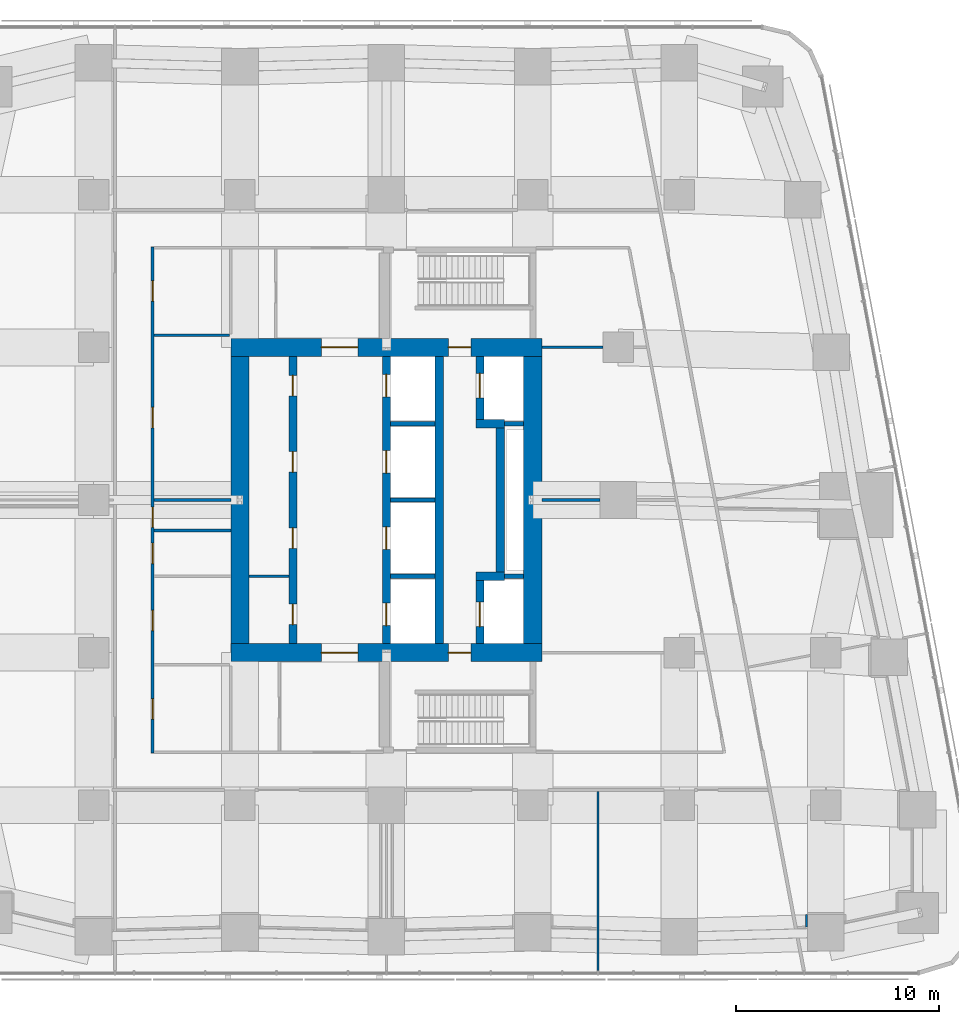
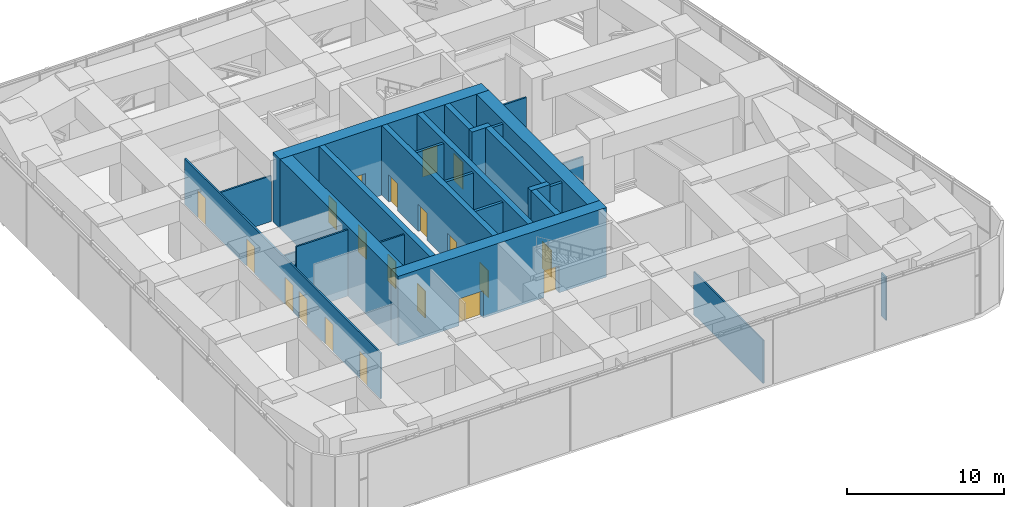
# One storey, part 13 of 17: 26 walls, 20 doors, 20 openings.
"""IFC4 building model written with IfcOpenShell, lengths in metres."""

from ifc_helpers import new_model, si_unit, direction, frame, frame_2d, origin, place, context, subcontext, project, spatial, rectangle, extrude, material, layer, layer_set, type_object, element, fill, save


model = new_model("IFC4")

# Units and contexts
model_context = context("Model", 3, precision=1e-05, world=origin(), true_north=direction((0.0, 1.0)))
body_context = subcontext(model_context, "Body", "Model", "MODEL_VIEW")
ifc_project = project(units=[si_unit("LENGTHUNIT", "METRE"), si_unit("AREAUNIT", "SQUARE_METRE"), si_unit("VOLUMEUNIT", "CUBIC_METRE"), si_unit("PLANEANGLEUNIT", "RADIAN"), si_unit("MASSUNIT", "GRAM", prefix="KILO")], contexts=[model_context])

# Site, building, storey
site_placement = place(None, origin())
site = spatial("IfcSite", under=ifc_project, at=site_placement, CompositionType="ELEMENT")
building_placement = place(site_placement, origin())
building = spatial("IfcBuilding", under=site, at=building_placement, Name="Sheger Commons Tower", CompositionType="ELEMENT")
storey_placement = place(building_placement, frame((0.0, 0.0, 188.300048828125)))
storey = spatial("IfcBuildingStorey", under=building, at=storey_placement, Name="L48", CompositionType="ELEMENT", Elevation=188.300048828125)

# Wall, openings, doors
ifc_material_1 = material(Name="Concrete C50/60", Category="concrete")
ifc_layer_1 = layer(ifc_material_1, 0.39990234375)
ifc_layer_set_1 = layer_set([ifc_layer_1], Name="CORE INNER WALL 400")
wall_type_1 = type_object("IfcWallType", Name="CORE INNER WALL 400", PredefinedType="SHEAR", material=ifc_layer_set_1)
wall_1_placement = place(storey_placement, frame((17.0, 15.449951171875, 0.0), z_axis=(0.0, 0.0, 1.0), x_axis=(0.0, 1.0, 0.0)))
wall_1 = element("IfcWall", 1, at=wall_1_placement, inside=storey, type_object=wall_type_1, Name="Core inner wall A L48", PredefinedType="SHEAR", context=body_context, shape_type="SweptSolid", body=[
    extrude(rectangle(XDim=14.10009765625, YDim=0.39990234375, at=frame_2d((7.050048828125, 0.0))), origin(), (0.0, 0.0, 1.0), 5.39990234375),
])
opening_1_placement = place(wall_1_placement, frame((0.925048828125, 0.0, 0.0)))
opening_1 = element("IfcOpeningElement", 2, at=opening_1_placement, cuts=wall_1, Name="Opening D4", PredefinedType="OPENING", context=body_context, shape_type="SweptSolid", body=[
    extrude(rectangle(XDim=1.0, YDim=2.10009765625, at=frame_2d((0.5, 1.050048828125))), frame((0.0, 0.2099609375, 0.0), z_axis=(0.0, -1.0, 0.0), x_axis=(1.0, 0.0, 0.0)), (0.0, 0.0, 1.0), 0.419921875),
])
opening_2_placement = place(wall_1_placement, frame((4.675048828125, 0.0, 0.0)))
opening_2 = element("IfcOpeningElement", 3, at=opening_2_placement, cuts=wall_1, Name="Opening D4", PredefinedType="OPENING", context=body_context, shape_type="SweptSolid", body=[
    extrude(rectangle(XDim=1.0, YDim=2.10009765625, at=frame_2d((0.5, 1.050048828125))), frame((0.0, 0.2099609375, 0.0), z_axis=(0.0, -1.0, 0.0), x_axis=(1.0, 0.0, 0.0)), (0.0, 0.0, 1.0), 0.419921875),
])
opening_3_placement = place(wall_1_placement, frame((8.425048828125, 0.0, 0.0)))
opening_3 = element("IfcOpeningElement", 4, at=opening_3_placement, cuts=wall_1, Name="Opening D4", PredefinedType="OPENING", context=body_context, shape_type="SweptSolid", body=[
    extrude(rectangle(XDim=1.0, YDim=2.10009765625, at=frame_2d((0.5, 1.050048828125))), frame((0.0, 0.2099609375, 0.0), z_axis=(0.0, -1.0, 0.0), x_axis=(1.0, 0.0, 0.0)), (0.0, 0.0, 1.0), 0.419921875),
])
opening_4_placement = place(wall_1_placement, frame((12.175048828125, 0.0, 0.0)))
opening_4 = element("IfcOpeningElement", 5, at=opening_4_placement, cuts=wall_1, Name="Opening D4", PredefinedType="OPENING", context=body_context, shape_type="SweptSolid", body=[
    extrude(rectangle(XDim=1.0, YDim=2.10009765625, at=frame_2d((0.5, 1.050048828125))), frame((0.0, 0.2099609375, 0.0), z_axis=(0.0, -1.0, 0.0), x_axis=(1.0, 0.0, 0.0)), (0.0, 0.0, 1.0), 0.419921875),
])
ifc_material_2 = material(Name="Steel door set, fire rated", Category="steel")
door_type_1 = type_object("IfcDoorType", Name="SERVICE DOOR 1000x2100", OperationType="NOTDEFINED", PredefinedType="DOOR", material=ifc_material_2)
door_1_placement = place(opening_1_placement, origin())
door_1 = element("IfcDoor", 6, at=door_1_placement, inside=storey, type_object=door_type_1, Name="IT and telecom room door", OperationType="SINGLE_SWING_LEFT", OverallHeight=2.10009765625, OverallWidth=1.0, PredefinedType="DOOR", context=body_context, shape_type="SweptSolid", body=[
    extrude(rectangle(XDim=1.0, YDim=2.10009765625, at=frame_2d((0.5, 1.050048828125))), frame((0.0, 0.02490234375, 0.0), z_axis=(0.0, -1.0, 0.0), x_axis=(1.0, 0.0, 0.0)), (0.0, 0.0, 1.0), 0.050048828125),
])
fill(opening_1, door_1)
door_2_placement = place(opening_2_placement, origin())
door_2 = element("IfcDoor", 7, at=door_2_placement, inside=storey, type_object=door_type_1, Name="Linen and housekeeping store door", OperationType="SINGLE_SWING_LEFT", OverallHeight=2.10009765625, OverallWidth=1.0, PredefinedType="DOOR", context=body_context, shape_type="SweptSolid", body=[
    extrude(rectangle(XDim=1.0, YDim=2.10009765625, at=frame_2d((0.5, 1.050048828125))), frame((0.0, 0.02490234375, 0.0), z_axis=(0.0, -1.0, 0.0), x_axis=(1.0, 0.0, 0.0)), (0.0, 0.0, 1.0), 0.050048828125),
])
fill(opening_2, door_2)
door_3_placement = place(opening_3_placement, origin())
door_3 = element("IfcDoor", 8, at=door_3_placement, inside=storey, type_object=door_type_1, Name="Linen and housekeeping store door", OperationType="SINGLE_SWING_RIGHT", OverallHeight=2.10009765625, OverallWidth=1.0, PredefinedType="DOOR", context=body_context, shape_type="SweptSolid", body=[
    extrude(rectangle(XDim=1.0, YDim=2.10009765625, at=frame_2d((0.5, 1.050048828125))), frame((0.0, 0.02490234375, 0.0), z_axis=(0.0, -1.0, 0.0), x_axis=(1.0, 0.0, 0.0)), (0.0, 0.0, 1.0), 0.050048828125),
])
fill(opening_3, door_3)
door_4_placement = place(opening_4_placement, origin())
door_4 = element("IfcDoor", 9, at=door_4_placement, inside=storey, type_object=door_type_1, Name="Linen and housekeeping store door", OperationType="SINGLE_SWING_RIGHT", OverallHeight=2.10009765625, OverallWidth=1.0, PredefinedType="DOOR", context=body_context, shape_type="SweptSolid", body=[
    extrude(rectangle(XDim=1.0, YDim=2.10009765625, at=frame_2d((0.5, 1.050048828125))), frame((0.0, 0.02490234375, 0.0), z_axis=(0.0, -1.0, 0.0), x_axis=(1.0, 0.0, 0.0)), (0.0, 0.0, 1.0), 0.050048828125),
])
fill(opening_4, door_4)

wall_2_placement = place(storey_placement, frame((21.60009765625, 15.449951171875, 0.0), z_axis=(0.0, 0.0, 1.0), x_axis=(0.0, 1.0, 0.0)))
wall_2 = element("IfcWall", 10, at=wall_2_placement, inside=storey, type_object=wall_type_1, Name="Core inner wall L L48", PredefinedType="SHEAR", context=body_context, shape_type="SweptSolid", body=[
    extrude(rectangle(XDim=14.10009765625, YDim=0.39990234375, at=frame_2d((7.050048828125, 0.0))), origin(), (0.0, 0.0, 1.0), 5.39990234375),
])
opening_5_placement = place(wall_2_placement, frame((0.875, 0.0, 0.0)))
opening_5 = element("IfcOpeningElement", 11, at=opening_5_placement, cuts=wall_2, Name="Opening LD", PredefinedType="OPENING", context=body_context, shape_type="SweptSolid", body=[
    extrude(rectangle(XDim=1.10009765625, YDim=2.10009765625, at=frame_2d((0.550048828125, 1.050048828125))), frame((0.0, 0.2099609375, 0.0), z_axis=(0.0, -1.0, 0.0), x_axis=(1.0, 0.0, 0.0)), (0.0, 0.0, 1.0), 0.419921875),
])
opening_6_placement = place(wall_2_placement, frame((4.625, 0.0, 0.0)))
opening_6 = element("IfcOpeningElement", 12, at=opening_6_placement, cuts=wall_2, Name="Opening LD", PredefinedType="OPENING", context=body_context, shape_type="SweptSolid", body=[
    extrude(rectangle(XDim=1.10009765625, YDim=2.10009765625, at=frame_2d((0.550048828125, 1.050048828125))), frame((0.0, 0.2099609375, 0.0), z_axis=(0.0, -1.0, 0.0), x_axis=(1.0, 0.0, 0.0)), (0.0, 0.0, 1.0), 0.419921875),
])
opening_7_placement = place(wall_2_placement, frame((8.375, 0.0, 0.0)))
opening_7 = element("IfcOpeningElement", 13, at=opening_7_placement, cuts=wall_2, Name="Opening LD", PredefinedType="OPENING", context=body_context, shape_type="SweptSolid", body=[
    extrude(rectangle(XDim=1.10009765625, YDim=2.10009765625, at=frame_2d((0.550048828125, 1.050048828125))), frame((0.0, 0.2099609375, 0.0), z_axis=(0.0, -1.0, 0.0), x_axis=(1.0, 0.0, 0.0)), (0.0, 0.0, 1.0), 0.419921875),
])
opening_8_placement = place(wall_2_placement, frame((12.125, 0.0, 0.0)))
opening_8 = element("IfcOpeningElement", 14, at=opening_8_placement, cuts=wall_2, Name="Opening LD", PredefinedType="OPENING", context=body_context, shape_type="SweptSolid", body=[
    extrude(rectangle(XDim=1.10009765625, YDim=2.10009765625, at=frame_2d((0.550048828125, 1.050048828125))), frame((0.0, 0.2099609375, 0.0), z_axis=(0.0, -1.0, 0.0), x_axis=(1.0, 0.0, 0.0)), (0.0, 0.0, 1.0), 0.419921875),
])
ifc_material_3 = material(Name="Steel door set, fire rated", Category="steel")
door_type_2 = type_object("IfcDoorType", Name="LIFT LANDING DOOR 1100x2100", OperationType="DOUBLE_DOOR_SLIDING", PredefinedType="DOOR", material=ifc_material_3)
door_5_placement = place(opening_5_placement, origin())
door_5 = element("IfcDoor", 15, at=door_5_placement, inside=storey, type_object=door_type_2, Name="Lift LB1 landing door", OperationType="DOUBLE_DOOR_SLIDING", OverallHeight=2.10009765625, OverallWidth=1.10009765625, PredefinedType="DOOR", context=body_context, shape_type="SweptSolid", body=[
    extrude(rectangle(XDim=1.10009765625, YDim=2.10009765625, at=frame_2d((0.550048828125, 1.050048828125))), frame((0.0, 0.02490234375, 0.0), z_axis=(0.0, -1.0, 0.0), x_axis=(1.0, 0.0, 0.0)), (0.0, 0.0, 1.0), 0.050048828125),
])
fill(opening_5, door_5)
door_6_placement = place(opening_6_placement, origin())
door_6 = element("IfcDoor", 16, at=door_6_placement, inside=storey, type_object=door_type_2, Name="Lift LB2 landing door", OperationType="DOUBLE_DOOR_SLIDING", OverallHeight=2.10009765625, OverallWidth=1.10009765625, PredefinedType="DOOR", context=body_context, shape_type="SweptSolid", body=[
    extrude(rectangle(XDim=1.10009765625, YDim=2.10009765625, at=frame_2d((0.550048828125, 1.050048828125))), frame((0.0, 0.02490234375, 0.0), z_axis=(0.0, -1.0, 0.0), x_axis=(1.0, 0.0, 0.0)), (0.0, 0.0, 1.0), 0.050048828125),
])
fill(opening_6, door_6)
door_7_placement = place(opening_7_placement, origin())
door_7 = element("IfcDoor", 17, at=door_7_placement, inside=storey, type_object=door_type_2, Name="Lift LB3 landing door", OperationType="DOUBLE_DOOR_SLIDING", OverallHeight=2.10009765625, OverallWidth=1.10009765625, PredefinedType="DOOR", context=body_context, shape_type="SweptSolid", body=[
    extrude(rectangle(XDim=1.10009765625, YDim=2.10009765625, at=frame_2d((0.550048828125, 1.050048828125))), frame((0.0, 0.02490234375, 0.0), z_axis=(0.0, -1.0, 0.0), x_axis=(1.0, 0.0, 0.0)), (0.0, 0.0, 1.0), 0.050048828125),
])
fill(opening_7, door_7)
door_8_placement = place(opening_8_placement, origin())
door_8 = element("IfcDoor", 18, at=door_8_placement, inside=storey, type_object=door_type_2, Name="Lift LB4 landing door", OperationType="DOUBLE_DOOR_SLIDING", OverallHeight=2.10009765625, OverallWidth=1.10009765625, PredefinedType="DOOR", context=body_context, shape_type="SweptSolid", body=[
    extrude(rectangle(XDim=1.10009765625, YDim=2.10009765625, at=frame_2d((0.550048828125, 1.050048828125))), frame((0.0, 0.02490234375, 0.0), z_axis=(0.0, -1.0, 0.0), x_axis=(1.0, 0.0, 0.0)), (0.0, 0.0, 1.0), 0.050048828125),
])
fill(opening_8, door_8)

# Wall
wall_3_placement = place(storey_placement, frame((24.199951171875, 15.449951171875, 0.0), z_axis=(0.0, 0.0, 1.0), x_axis=(0.0, 1.0, 0.0)))
element("IfcWall", 19, at=wall_3_placement, inside=storey, type_object=wall_type_1, Name="Core inner wall B L48", PredefinedType="SHEAR", context=body_context, shape_type="SweptSolid", body=[
    extrude(rectangle(XDim=14.10009765625, YDim=0.39990234375, at=frame_2d((7.050048828125, 0.0))), origin(), (0.0, 0.0, 1.0), 5.39990234375),
])

# Wall, opening, door
wall_4_placement = place(storey_placement, frame((26.199951171875, 15.449951171875, 0.0), z_axis=(0.0, 0.0, 1.0), x_axis=(0.0, 1.0, 0.0)))
wall_4 = element("IfcWall", 20, at=wall_4_placement, inside=storey, type_object=wall_type_1, Name="Core inner wall F L48", PredefinedType="SHEAR", context=body_context, shape_type="SweptSolid", body=[
    extrude(rectangle(XDim=3.10009765625, YDim=0.39990234375, at=frame_2d((1.550048828125, 0.0))), origin(), (0.0, 0.0, 1.0), 5.39990234375),
])
opening_9_placement = place(wall_4_placement, frame((0.824951171875, 0.0, 0.0)))
opening_9 = element("IfcOpeningElement", 21, at=opening_9_placement, cuts=wall_4, Name="Opening LD2", PredefinedType="OPENING", context=body_context, shape_type="SweptSolid", body=[
    extrude(rectangle(XDim=1.199951171875, YDim=2.10009765625, at=frame_2d((0.60009765625, 1.050048828125))), frame((0.0, 0.2099609375, 0.0), z_axis=(0.0, -1.0, 0.0), x_axis=(1.0, 0.0, 0.0)), (0.0, 0.0, 1.0), 0.419921875),
])
ifc_material_4 = material(Name="Steel door set, fire rated", Category="steel")
door_type_3 = type_object("IfcDoorType", Name="FIREFIGHTING LIFT LANDING DOOR 1200x2100", OperationType="DOUBLE_DOOR_SLIDING", PredefinedType="DOOR", material=ifc_material_4)
door_9_placement = place(opening_9_placement, origin())
door_9 = element("IfcDoor", 22, at=door_9_placement, inside=storey, type_object=door_type_3, Name="Lift FL1 landing door", OperationType="DOUBLE_DOOR_SLIDING", OverallHeight=2.10009765625, OverallWidth=1.199951171875, PredefinedType="DOOR", context=body_context, shape_type="SweptSolid", body=[
    extrude(rectangle(XDim=1.199951171875, YDim=2.10009765625, at=frame_2d((0.60009765625, 1.050048828125))), frame((0.0, 0.02490234375, 0.0), z_axis=(0.0, -1.0, 0.0), x_axis=(1.0, 0.0, 0.0)), (0.0, 0.0, 1.0), 0.050048828125),
])
fill(opening_9, door_9)

# Walls
wall_5_placement = place(storey_placement, frame((26.0, 18.75, 0.0), z_axis=(0.0, 0.0, 1.0), x_axis=(1.0, 0.0, 0.0)))
element("IfcWall", 23, at=wall_5_placement, inside=storey, type_object=wall_type_1, Name="Core inner wall F south return L48", PredefinedType="SHEAR", context=body_context, shape_type="SweptSolid", body=[
    extrude(rectangle(XDim=1.39990234375, YDim=0.39990234375, at=frame_2d((0.699951171875, 0.0))), origin(), (0.0, 0.0, 1.0), 5.39990234375),
])
wall_6_placement = place(storey_placement, frame((27.199951171875, 18.949951171875, 0.0), z_axis=(0.0, 0.0, 1.0), x_axis=(0.0, 1.0, 0.0)))
element("IfcWall", 24, at=wall_6_placement, inside=storey, type_object=wall_type_1, Name="Core inner wall F middle L48", PredefinedType="SHEAR", context=body_context, shape_type="SweptSolid", body=[
    extrude(rectangle(XDim=7.10009765625, YDim=0.39990234375, at=frame_2d((3.550048828125, 0.0))), origin(), (0.0, 0.0, 1.0), 5.39990234375),
])
wall_7_placement = place(storey_placement, frame((26.0, 26.25, 0.0), z_axis=(0.0, 0.0, 1.0), x_axis=(1.0, 0.0, 0.0)))
element("IfcWall", 25, at=wall_7_placement, inside=storey, type_object=wall_type_1, Name="Core inner wall F north return L48", PredefinedType="SHEAR", context=body_context, shape_type="SweptSolid", body=[
    extrude(rectangle(XDim=1.39990234375, YDim=0.39990234375, at=frame_2d((0.699951171875, 0.0))), origin(), (0.0, 0.0, 1.0), 5.39990234375),
])

# Wall, opening, door
wall_8_placement = place(storey_placement, frame((26.199951171875, 26.449951171875, 0.0), z_axis=(0.0, 0.0, 1.0), x_axis=(0.0, 1.0, 0.0)))
wall_8 = element("IfcWall", 26, at=wall_8_placement, inside=storey, type_object=wall_type_1, Name="Core inner wall F north L48", PredefinedType="SHEAR", context=body_context, shape_type="SweptSolid", body=[
    extrude(rectangle(XDim=3.10009765625, YDim=0.39990234375, at=frame_2d((1.550048828125, 0.0))), origin(), (0.0, 0.0, 1.0), 5.39990234375),
])
opening_10_placement = place(wall_8_placement, frame((1.074951171875, 0.0, 0.0)))
opening_10 = element("IfcOpeningElement", 27, at=opening_10_placement, cuts=wall_8, Name="Opening LD2", PredefinedType="OPENING", context=body_context, shape_type="SweptSolid", body=[
    extrude(rectangle(XDim=1.199951171875, YDim=2.10009765625, at=frame_2d((0.60009765625, 1.050048828125))), frame((0.0, 0.2099609375, 0.0), z_axis=(0.0, -1.0, 0.0), x_axis=(1.0, 0.0, 0.0)), (0.0, 0.0, 1.0), 0.419921875),
])
door_10_placement = place(opening_10_placement, origin())
door_10 = element("IfcDoor", 28, at=door_10_placement, inside=storey, type_object=door_type_3, Name="Lift FL2 landing door", OperationType="DOUBLE_DOOR_SLIDING", OverallHeight=2.10009765625, OverallWidth=1.199951171875, PredefinedType="DOOR", context=body_context, shape_type="SweptSolid", body=[
    extrude(rectangle(XDim=1.199951171875, YDim=2.10009765625, at=frame_2d((0.60009765625, 1.050048828125))), frame((0.0, 0.02490234375, 0.0), z_axis=(0.0, -1.0, 0.0), x_axis=(1.0, 0.0, 0.0)), (0.0, 0.0, 1.0), 0.050048828125),
])
fill(opening_10, door_10)

# Wall, openings, doors
ifc_material_5 = material(Name="Concrete C50/60", Category="concrete")
ifc_layer_2 = layer(ifc_material_5, 0.89990234375)
ifc_layer_set_2 = layer_set([ifc_layer_2], Name="CORE WALL 900")
wall_type_2 = type_object("IfcWallType", Name="CORE WALL 900", PredefinedType="SHEAR", material=ifc_layer_set_2)
wall_9_placement = place(storey_placement, frame((13.949951171875, 15.0, 0.0), z_axis=(0.0, 0.0, 1.0), x_axis=(1.0, 0.0, 0.0)))
wall_9 = element("IfcWall", 29, at=wall_9_placement, inside=storey, type_object=wall_type_2, Name="Core wall south L48", PredefinedType="SHEAR", context=body_context, shape_type="SweptSolid", body=[
    extrude(rectangle(XDim=15.300048828125, YDim=0.89990234375, at=frame_2d((7.64990234375, 0.0))), origin(), (0.0, 0.0, 1.0), 5.39990234375),
])
opening_11_placement = place(wall_9_placement, frame((4.449951171875, 0.0, 0.0)))
opening_11 = element("IfcOpeningElement", 30, at=opening_11_placement, cuts=wall_9, Name="Opening D6", PredefinedType="OPENING", context=body_context, shape_type="SweptSolid", body=[
    extrude(rectangle(XDim=1.800048828125, YDim=2.10009765625, at=frame_2d((0.89990234375, 1.050048828125))), frame((0.0, 0.4599609375, 0.0), z_axis=(0.0, -1.0, 0.0), x_axis=(1.0, 0.0, 0.0)), (0.0, 0.0, 1.0), 0.919921875),
])
opening_12_placement = place(wall_9_placement, frame((10.699951171875, 0.0, 0.0)))
opening_12 = element("IfcOpeningElement", 31, at=opening_12_placement, cuts=wall_9, Name="Opening D5", PredefinedType="OPENING", context=body_context, shape_type="SweptSolid", body=[
    extrude(rectangle(XDim=1.10009765625, YDim=2.10009765625, at=frame_2d((0.550048828125, 1.050048828125))), frame((0.0, 0.4599609375, 0.0), z_axis=(0.0, -1.0, 0.0), x_axis=(1.0, 0.0, 0.0)), (0.0, 0.0, 1.0), 0.919921875),
])
ifc_material_6 = material(Name="Steel door set, fire rated", Category="steel")
door_type_4 = type_object("IfcDoorType", Name="LOBBY DOUBLE DOOR 1800x2100", OperationType="DOUBLE_DOOR_SINGLE_SWING", PredefinedType="DOOR", material=ifc_material_6)
door_11_placement = place(opening_11_placement, origin())
door_11 = element("IfcDoor", 32, at=door_11_placement, inside=storey, type_object=door_type_4, Name="Lift lobby door", OperationType="DOUBLE_DOOR_SINGLE_SWING", OverallHeight=2.10009765625, OverallWidth=1.800048828125, PredefinedType="DOOR", context=body_context, shape_type="SweptSolid", body=[
    extrude(rectangle(XDim=1.800048828125, YDim=2.10009765625, at=frame_2d((0.89990234375, 1.050048828125))), frame((0.0, 0.02490234375, 0.0), z_axis=(0.0, -1.0, 0.0), x_axis=(1.0, 0.0, 0.0)), (0.0, 0.0, 1.0), 0.050048828125),
])
fill(opening_11, door_11)
ifc_material_7 = material(Name="Steel door set, fire rated", Category="steel")
door_type_5 = type_object("IfcDoorType", Name="STAIR DOOR 1100x2100", OperationType="NOTDEFINED", PredefinedType="DOOR", material=ifc_material_7)
door_12_placement = place(opening_12_placement, origin())
door_12 = element("IfcDoor", 33, at=door_12_placement, inside=storey, type_object=door_type_5, Name="Fire-fighting lobby door", OperationType="SINGLE_SWING_LEFT", OverallHeight=2.10009765625, OverallWidth=1.10009765625, PredefinedType="DOOR", context=body_context, shape_type="SweptSolid", body=[
    extrude(rectangle(XDim=1.10009765625, YDim=2.10009765625, at=frame_2d((0.550048828125, 1.050048828125))), frame((0.0, 0.02490234375, 0.0), z_axis=(0.0, -1.0, 0.0), x_axis=(1.0, 0.0, 0.0)), (0.0, 0.0, 1.0), 0.050048828125),
])
fill(opening_12, door_12)

wall_10_placement = place(storey_placement, frame((13.949951171875, 30.0, 0.0), z_axis=(0.0, 0.0, 1.0), x_axis=(1.0, 0.0, 0.0)))
wall_10 = element("IfcWall", 34, at=wall_10_placement, inside=storey, type_object=wall_type_2, Name="Core wall north L48", PredefinedType="SHEAR", context=body_context, shape_type="SweptSolid", body=[
    extrude(rectangle(XDim=15.300048828125, YDim=0.89990234375, at=frame_2d((7.64990234375, 0.0))), origin(), (0.0, 0.0, 1.0), 5.39990234375),
])
opening_13_placement = place(wall_10_placement, frame((4.449951171875, 0.0, 0.0)))
opening_13 = element("IfcOpeningElement", 35, at=opening_13_placement, cuts=wall_10, Name="Opening D6", PredefinedType="OPENING", context=body_context, shape_type="SweptSolid", body=[
    extrude(rectangle(XDim=1.800048828125, YDim=2.10009765625, at=frame_2d((0.89990234375, 1.050048828125))), frame((0.0, 0.4599609375, 0.0), z_axis=(0.0, -1.0, 0.0), x_axis=(1.0, 0.0, 0.0)), (0.0, 0.0, 1.0), 0.919921875),
])
opening_14_placement = place(wall_10_placement, frame((10.699951171875, 0.0, 0.0)))
opening_14 = element("IfcOpeningElement", 36, at=opening_14_placement, cuts=wall_10, Name="Opening D5", PredefinedType="OPENING", context=body_context, shape_type="SweptSolid", body=[
    extrude(rectangle(XDim=1.10009765625, YDim=2.10009765625, at=frame_2d((0.550048828125, 1.050048828125))), frame((0.0, 0.4599609375, 0.0), z_axis=(0.0, -1.0, 0.0), x_axis=(1.0, 0.0, 0.0)), (0.0, 0.0, 1.0), 0.919921875),
])
door_13_placement = place(opening_13_placement, origin())
door_13 = element("IfcDoor", 37, at=door_13_placement, inside=storey, type_object=door_type_4, Name="Lift lobby door", OperationType="DOUBLE_DOOR_SINGLE_SWING", OverallHeight=2.10009765625, OverallWidth=1.800048828125, PredefinedType="DOOR", context=body_context, shape_type="SweptSolid", body=[
    extrude(rectangle(XDim=1.800048828125, YDim=2.10009765625, at=frame_2d((0.89990234375, 1.050048828125))), frame((0.0, 0.02490234375, 0.0), z_axis=(0.0, -1.0, 0.0), x_axis=(1.0, 0.0, 0.0)), (0.0, 0.0, 1.0), 0.050048828125),
])
fill(opening_13, door_13)
door_14_placement = place(opening_14_placement, origin())
door_14 = element("IfcDoor", 38, at=door_14_placement, inside=storey, type_object=door_type_5, Name="Fire-fighting lobby door", OperationType="SINGLE_SWING_LEFT", OverallHeight=2.10009765625, OverallWidth=1.10009765625, PredefinedType="DOOR", context=body_context, shape_type="SweptSolid", body=[
    extrude(rectangle(XDim=1.10009765625, YDim=2.10009765625, at=frame_2d((0.550048828125, 1.050048828125))), frame((0.0, 0.02490234375, 0.0), z_axis=(0.0, -1.0, 0.0), x_axis=(1.0, 0.0, 0.0)), (0.0, 0.0, 1.0), 0.050048828125),
])
fill(opening_14, door_14)

# Walls
for number, where, z_axis, x_axis, name in (
    (39, (14.39990234375, 15.449951171875, 0.0), (0.0, 0.0, 1.0), (0.0, 1.0, 0.0), "Core wall west L48"),
    (40, (28.800048828125, 15.449951171875, 0.0), (0.0, 0.0, 1.0), (0.0, 1.0, 0.0), "Core wall east L48"),
):
    element("IfcWall", number, at=place(storey_placement, frame(where, z_axis=z_axis, x_axis=x_axis)), inside=storey, type_object=wall_type_2, Name=name, PredefinedType="SHEAR", context=body_context, shape_type="SweptSolid", body=[
        extrude(rectangle(XDim=14.10009765625, YDim=0.89990234375, at=frame_2d((7.050048828125, 0.0))), origin(), (0.0, 0.0, 1.0), 5.39990234375),
    ])
ifc_material_8 = material(Name="Gypsum board on steel studs", Category="steel")
ifc_layer_3 = layer(ifc_material_8, 0.10009765625)
ifc_layer_set_3 = layer_set([ifc_layer_3], Name="PARTITION 100")
wall_type_3 = type_object("IfcWallType", Name="PARTITION 100", PredefinedType="PARTITIONING", material=ifc_layer_set_3)
wall_11_placement = place(storey_placement, frame((32.0, -0.636962890625, 0.0), z_axis=(0.0, 0.0, 1.0), x_axis=(0.0, 1.0, 0.0)))
element("IfcWall", 41, at=wall_11_placement, inside=storey, type_object=wall_type_3, Name="Partition L48", PredefinedType="PARTITIONING", context=body_context, shape_type="SweptSolid", body=[
    extrude(rectangle(XDim=8.81201171875, YDim=0.10009765625, at=frame_2d((4.406005859375, 0.0))), origin(), (0.0, 0.0, 1.0), 3.349853515625),
])
wall_12_placement = place(storey_placement, frame((42.25, 2.125, 0.0), z_axis=(0.0, 0.0, 1.0), x_axis=(0.0, -1.0, 0.0)))
element("IfcWall", 42, at=wall_12_placement, inside=storey, type_object=wall_type_3, Name="Partition L48", PredefinedType="PARTITIONING", context=body_context, shape_type="SweptSolid", body=[
    extrude(rectangle(XDim=0.6259765625, YDim=0.10009765625, at=frame_2d((0.31298828125, 0.0))), origin(), (0.0, 0.0, 1.0), 3.349853515625),
])

# Wall, openings, doors
ifc_material_9 = material(Name="Gypsum board on steel studs, two layers each side, fire rated", Category="steel")
ifc_layer_4 = layer(ifc_material_9, 0.125)
ifc_layer_set_4 = layer_set([ifc_layer_4], Name="SERVICE WALL 125")
wall_type_4 = type_object("IfcWallType", Name="SERVICE WALL 125", PredefinedType="PARTITIONING", material=ifc_layer_set_4)
wall_13_placement = place(storey_placement, frame((10.10009765625, 10.050048828125, 0.0), z_axis=(0.0, 0.0, 1.0), x_axis=(0.0, 1.0, 0.0)))
wall_13 = element("IfcWall", 43, at=wall_13_placement, inside=storey, type_object=wall_type_4, Name="Service room wall L48", PredefinedType="PARTITIONING", context=body_context, shape_type="SweptSolid", body=[
    extrude(rectangle(XDim=24.89990234375, YDim=0.125, at=frame_2d((12.449951171875, 0.0))), origin(), (0.0, 0.0, 1.0), 3.550048828125),
])
opening_15_placement = place(wall_13_placement, frame((1.675048828125, 0.0, 0.0)))
opening_15 = element("IfcOpeningElement", 44, at=opening_15_placement, cuts=wall_13, Name="Opening D4", PredefinedType="OPENING", context=body_context, shape_type="SweptSolid", body=[
    extrude(rectangle(XDim=1.0, YDim=2.10009765625, at=frame_2d((0.5, 1.050048828125))), frame((0.0, 0.072509765625, 0.0), z_axis=(0.0, -1.0, 0.0), x_axis=(1.0, 0.0, 0.0)), (0.0, 0.0, 1.0), 0.14501953125),
])
opening_16_placement = place(wall_13_placement, frame((16.0, 0.0, 0.0)))
opening_16 = element("IfcOpeningElement", 45, at=opening_16_placement, cuts=wall_13, Name="Opening D4", PredefinedType="OPENING", context=body_context, shape_type="SweptSolid", body=[
    extrude(rectangle(XDim=1.0, YDim=2.10009765625, at=frame_2d((0.5, 1.050048828125))), frame((0.0, 0.072509765625, 0.0), z_axis=(0.0, -1.0, 0.0), x_axis=(1.0, 0.0, 0.0)), (0.0, 0.0, 1.0), 0.14501953125),
])
opening_17_placement = place(wall_13_placement, frame((22.22509765625, 0.0, 0.0)))
opening_17 = element("IfcOpeningElement", 46, at=opening_17_placement, cuts=wall_13, Name="Opening D4", PredefinedType="OPENING", context=body_context, shape_type="SweptSolid", body=[
    extrude(rectangle(XDim=1.0, YDim=2.10009765625, at=frame_2d((0.5, 1.050048828125))), frame((0.0, 0.072509765625, 0.0), z_axis=(0.0, -1.0, 0.0), x_axis=(1.0, 0.0, 0.0)), (0.0, 0.0, 1.0), 0.14501953125),
])
opening_18_placement = place(wall_13_placement, frame((6.02490234375, 0.0, 0.0)))
opening_18 = element("IfcOpeningElement", 47, at=opening_18_placement, cuts=wall_13, Name="Opening D4", PredefinedType="OPENING", context=body_context, shape_type="SweptSolid", body=[
    extrude(rectangle(XDim=1.0, YDim=2.10009765625, at=frame_2d((0.5, 1.050048828125))), frame((0.0, 0.072509765625, 0.0), z_axis=(0.0, -1.0, 0.0), x_axis=(1.0, 0.0, 0.0)), (0.0, 0.0, 1.0), 0.14501953125),
])
opening_19_placement = place(wall_13_placement, frame((9.324951171875, 0.0, 0.0)))
opening_19 = element("IfcOpeningElement", 48, at=opening_19_placement, cuts=wall_13, Name="Opening D4", PredefinedType="OPENING", context=body_context, shape_type="SweptSolid", body=[
    extrude(rectangle(XDim=1.0, YDim=2.10009765625, at=frame_2d((0.5, 1.050048828125))), frame((0.0, 0.072509765625, 0.0), z_axis=(0.0, -1.0, 0.0), x_axis=(1.0, 0.0, 0.0)), (0.0, 0.0, 1.0), 0.14501953125),
])
opening_20_placement = place(wall_13_placement, frame((11.10009765625, 0.0, 0.0)))
opening_20 = element("IfcOpeningElement", 49, at=opening_20_placement, cuts=wall_13, Name="Opening D4", PredefinedType="OPENING", context=body_context, shape_type="SweptSolid", body=[
    extrude(rectangle(XDim=1.0, YDim=2.10009765625, at=frame_2d((0.5, 1.050048828125))), frame((0.0, 0.072509765625, 0.0), z_axis=(0.0, -1.0, 0.0), x_axis=(1.0, 0.0, 0.0)), (0.0, 0.0, 1.0), 0.14501953125),
])
door_15_placement = place(opening_15_placement, origin())
door_15 = element("IfcDoor", 50, at=door_15_placement, inside=storey, type_object=door_type_1, Name="Male WC door", OperationType="SINGLE_SWING_RIGHT", OverallHeight=2.10009765625, OverallWidth=1.0, PredefinedType="DOOR", context=body_context, shape_type="SweptSolid", body=[
    extrude(rectangle(XDim=1.0, YDim=2.10009765625, at=frame_2d((0.5, 1.050048828125))), frame((0.0, 0.02490234375, 0.0), z_axis=(0.0, -1.0, 0.0), x_axis=(1.0, 0.0, 0.0)), (0.0, 0.0, 1.0), 0.050048828125),
])
fill(opening_15, door_15)
door_16_placement = place(opening_16_placement, origin())
door_16 = element("IfcDoor", 51, at=door_16_placement, inside=storey, type_object=door_type_1, Name="Community furniture store door", OperationType="SINGLE_SWING_LEFT", OverallHeight=2.10009765625, OverallWidth=1.0, PredefinedType="DOOR", context=body_context, shape_type="SweptSolid", body=[
    extrude(rectangle(XDim=1.0, YDim=2.10009765625, at=frame_2d((0.5, 1.050048828125))), frame((0.0, 0.02490234375, 0.0), z_axis=(0.0, -1.0, 0.0), x_axis=(1.0, 0.0, 0.0)), (0.0, 0.0, 1.0), 0.050048828125),
])
fill(opening_16, door_16)
door_17_placement = place(opening_17_placement, origin())
door_17 = element("IfcDoor", 52, at=door_17_placement, inside=storey, type_object=door_type_1, Name="Cleaner's store door", OperationType="SINGLE_SWING_LEFT", OverallHeight=2.10009765625, OverallWidth=1.0, PredefinedType="DOOR", context=body_context, shape_type="SweptSolid", body=[
    extrude(rectangle(XDim=1.0, YDim=2.10009765625, at=frame_2d((0.5, 1.050048828125))), frame((0.0, 0.02490234375, 0.0), z_axis=(0.0, -1.0, 0.0), x_axis=(1.0, 0.0, 0.0)), (0.0, 0.0, 1.0), 0.050048828125),
])
fill(opening_17, door_17)
door_18_placement = place(opening_18_placement, origin())
door_18 = element("IfcDoor", 53, at=door_18_placement, inside=storey, type_object=door_type_1, Name="Female WC door", OperationType="SINGLE_SWING_LEFT", OverallHeight=2.10009765625, OverallWidth=1.0, PredefinedType="DOOR", context=body_context, shape_type="SweptSolid", body=[
    extrude(rectangle(XDim=1.0, YDim=2.10009765625, at=frame_2d((0.5, 1.050048828125))), frame((0.0, 0.02490234375, 0.0), z_axis=(0.0, -1.0, 0.0), x_axis=(1.0, 0.0, 0.0)), (0.0, 0.0, 1.0), 0.050048828125),
])
fill(opening_18, door_18)
door_19_placement = place(opening_19_placement, origin())
door_19 = element("IfcDoor", 54, at=door_19_placement, inside=storey, type_object=door_type_1, Name="Accessible WC door", OperationType="SINGLE_SWING_RIGHT", OverallHeight=2.10009765625, OverallWidth=1.0, PredefinedType="DOOR", context=body_context, shape_type="SweptSolid", body=[
    extrude(rectangle(XDim=1.0, YDim=2.10009765625, at=frame_2d((0.5, 1.050048828125))), frame((0.0, 0.02490234375, 0.0), z_axis=(0.0, -1.0, 0.0), x_axis=(1.0, 0.0, 0.0)), (0.0, 0.0, 1.0), 0.050048828125),
])
fill(opening_19, door_19)
door_20_placement = place(opening_20_placement, origin())
door_20 = element("IfcDoor", 55, at=door_20_placement, inside=storey, type_object=door_type_1, Name="Baby change room door", OperationType="SINGLE_SWING_RIGHT", OverallHeight=2.10009765625, OverallWidth=1.0, PredefinedType="DOOR", context=body_context, shape_type="SweptSolid", body=[
    extrude(rectangle(XDim=1.0, YDim=2.10009765625, at=frame_2d((0.5, 1.050048828125))), frame((0.0, 0.02490234375, 0.0), z_axis=(0.0, -1.0, 0.0), x_axis=(1.0, 0.0, 0.0)), (0.0, 0.0, 1.0), 0.050048828125),
])
fill(opening_20, door_20)

# Walls
wall_14_placement = place(storey_placement, frame((10.1630859375, 22.5, 0.0), z_axis=(0.0, 0.0, 1.0), x_axis=(1.0, 0.0, 0.0)))
element("IfcWall", 56, at=wall_14_placement, inside=storey, type_object=wall_type_4, Name="Service room wall L48", PredefinedType="PARTITIONING", context=body_context, shape_type="SweptSolid", body=[
    extrude(rectangle(XDim=3.786865234375, YDim=0.125, at=frame_2d((1.8935546875, 0.0))), origin(), (0.0, 0.0, 1.0), 3.550048828125),
])
wall_15_placement = place(storey_placement, frame((10.1630859375, 30.60009765625, 0.0), z_axis=(0.0, 0.0, 1.0), x_axis=(1.0, 0.0, 0.0)))
element("IfcWall", 57, at=wall_15_placement, inside=storey, type_object=wall_type_4, Name="Service room wall L48", PredefinedType="PARTITIONING", context=body_context, shape_type="SweptSolid", body=[
    extrude(rectangle(XDim=3.724853515625, YDim=0.125, at=frame_2d((1.8623046875, 0.0))), origin(), (0.0, 0.0, 1.0), 3.550048828125),
])
wall_16_placement = place(storey_placement, frame((29.25, 22.5, 0.0), z_axis=(0.0, 0.0, 1.0), x_axis=(1.0, 0.0, 0.0)))
element("IfcWall", 58, at=wall_16_placement, inside=storey, type_object=wall_type_4, Name="Service room wall L48", PredefinedType="PARTITIONING", context=body_context, shape_type="SweptSolid", body=[
    extrude(rectangle(XDim=2.84912109375, YDim=0.125, at=frame_2d((1.424560546875, 0.0))), origin(), (0.0, 0.0, 1.0), 3.550048828125),
])
wall_17_placement = place(storey_placement, frame((29.25, 30.0, 0.0), z_axis=(0.0, 0.0, 1.0), x_axis=(1.0, 0.0, 0.0)))
element("IfcWall", 59, at=wall_17_placement, inside=storey, type_object=wall_type_4, Name="Service room wall L48", PredefinedType="PARTITIONING", context=body_context, shape_type="SweptSolid", body=[
    extrude(rectangle(XDim=2.9990234375, YDim=0.125, at=frame_2d((1.49951171875, 0.0))), origin(), (0.0, 0.0, 1.0), 3.550048828125),
])
wall_18_placement = place(storey_placement, frame((10.1630859375, 21.0, 0.0), z_axis=(0.0, 0.0, 1.0), x_axis=(1.0, 0.0, 0.0)))
element("IfcWall", 60, at=wall_18_placement, inside=storey, type_object=wall_type_4, Name="Service room wall L48", PredefinedType="PARTITIONING", context=body_context, shape_type="SweptSolid", body=[
    extrude(rectangle(XDim=3.786865234375, YDim=0.125, at=frame_2d((1.8935546875, 0.0))), origin(), (0.0, 0.0, 1.0), 5.14990234375),
])
wall_19_placement = place(storey_placement, frame((14.85009765625, 18.75, 0.0), z_axis=(0.0, 0.0, 1.0), x_axis=(1.0, 0.0, 0.0)))
element("IfcWall", 61, at=wall_19_placement, inside=storey, type_object=wall_type_4, Name="Service room wall L48", PredefinedType="PARTITIONING", context=body_context, shape_type="SweptSolid", body=[
    extrude(rectangle(XDim=1.949951171875, YDim=0.125, at=frame_2d((0.97509765625, 0.0))), origin(), (0.0, 0.0, 1.0), 5.14990234375),
])
ifc_material_10 = material(Name="Hollow concrete block masonry", Category="masonry")
ifc_layer_5 = layer(ifc_material_10, 0.199951171875)
ifc_layer_set_5 = layer_set([ifc_layer_5], Name="SHAFT WALL 200")
wall_type_5 = type_object("IfcWallType", Name="SHAFT WALL 200", PredefinedType="SOLIDWALL", material=ifc_layer_set_5)
for number, where, z_axis, x_axis, name in (
    (62, (21.800048828125, 18.75, 0.0), (0.0, 0.0, 1.0), (1.0, 0.0, 0.0), "Lift shaft wall L48"),
    (63, (21.800048828125, 22.5, 0.0), (0.0, 0.0, 1.0), (1.0, 0.0, 0.0), "Lift shaft wall L48"),
    (64, (21.800048828125, 26.25, 0.0), (0.0, 0.0, 1.0), (1.0, 0.0, 0.0), "Lift shaft wall L48"),
):
    element("IfcWall", number, at=place(storey_placement, frame(where, z_axis=z_axis, x_axis=x_axis)), inside=storey, type_object=wall_type_5, Name=name, PredefinedType="SOLIDWALL", context=body_context, shape_type="SweptSolid", body=[
        extrude(rectangle(XDim=2.199951171875, YDim=0.199951171875, at=frame_2d((1.10009765625, 0.0))), origin(), (0.0, 0.0, 1.0), 5.14990234375),
    ])
for number, where, z_axis, x_axis, name in (
    (65, (27.39990234375, 18.75, 0.0), (0.0, 0.0, 1.0), (1.0, 0.0, 0.0), "Lift shaft wall L48"),
    (66, (27.39990234375, 26.25, 0.0), (0.0, 0.0, 1.0), (1.0, 0.0, 0.0), "Lift shaft wall L48"),
):
    element("IfcWall", number, at=place(storey_placement, frame(where, z_axis=z_axis, x_axis=x_axis)), inside=storey, type_object=wall_type_5, Name=name, PredefinedType="SOLIDWALL", context=body_context, shape_type="SweptSolid", body=[
        extrude(rectangle(XDim=0.9501953125, YDim=0.199951171875, at=frame_2d((0.47509765625, 0.0))), origin(), (0.0, 0.0, 1.0), 5.14990234375),
    ])

save(model, "model.ifc")
